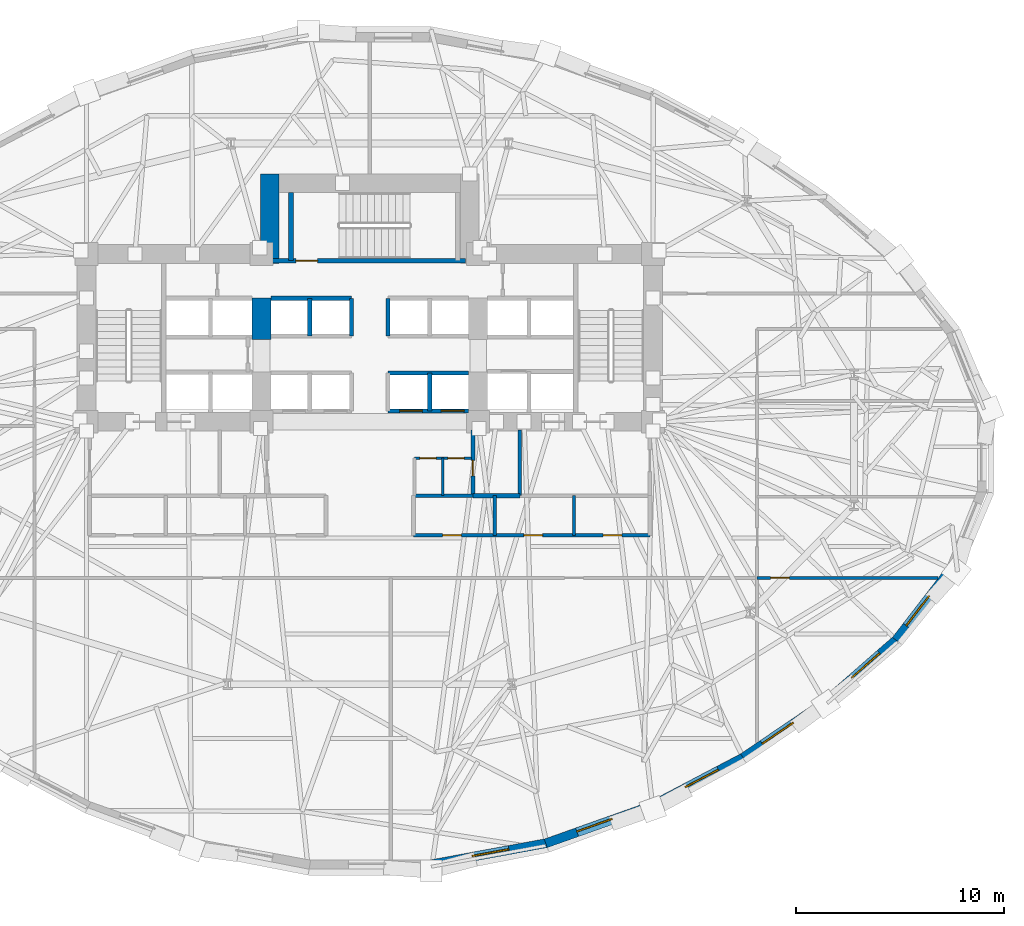
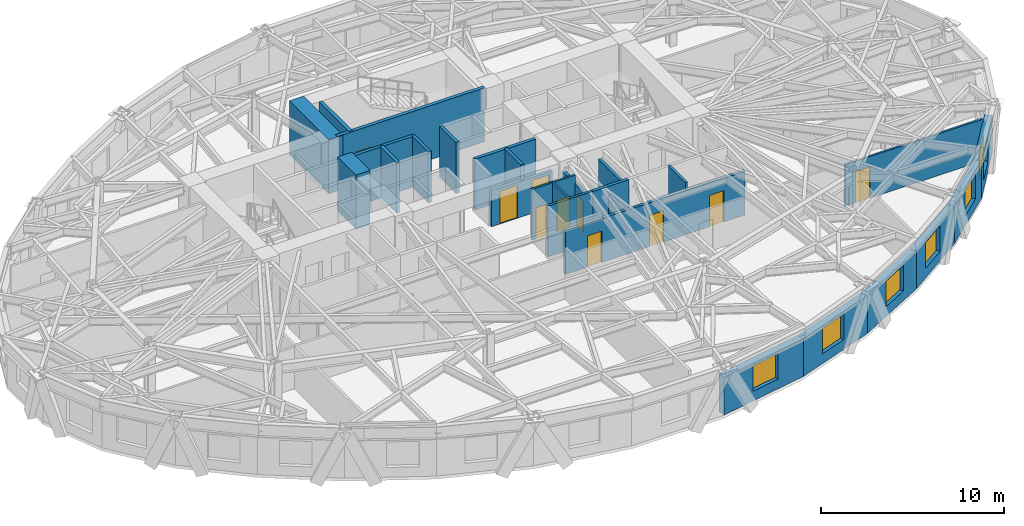
# One storey, part 8 of 14: 27 walls, 10 doors, 6 windows, 16 openings.
"""IFC4 building model written with IfcOpenShell, lengths in metres."""

from ifc_helpers import new_model, si_unit, direction, frame, frame_2d, origin, place, context, subcontext, project, spatial, rectangle, extrude, material, layer, layer_set, type_object, element, fill, save


model = new_model("IFC4")

# Units and contexts
model_context = context("Model", 3, precision=1e-05, world=origin(), true_north=direction((0.0, 1.0)))
body_context = subcontext(model_context, "Body", "Model", "MODEL_VIEW")
ifc_project = project(units=[si_unit("LENGTHUNIT", "METRE"), si_unit("AREAUNIT", "SQUARE_METRE"), si_unit("VOLUMEUNIT", "CUBIC_METRE"), si_unit("PLANEANGLEUNIT", "RADIAN"), si_unit("MASSUNIT", "GRAM", prefix="KILO")], contexts=[model_context])

# Site, building, storey
site_placement = place(None, origin())
site = spatial("IfcSite", under=ifc_project, at=site_placement, CompositionType="ELEMENT")
building_placement = place(site_placement, origin())
building = spatial("IfcBuilding", under=site, at=building_placement, Name="Keldmark Tower", CompositionType="ELEMENT")
storey_placement = place(building_placement, frame((0.0, 0.0, 66.60009765625)))
storey = spatial("IfcBuildingStorey", under=building, at=storey_placement, Name="L17", CompositionType="ELEMENT", Elevation=66.60009765625)

# Wall, openings, doors
ifc_material_1 = material(Name="Heavy Acoustic Plumbing Chase Gypsum Assembly", Category="gypsum")
ifc_layer_1 = layer(ifc_material_1, 0.18994140625)
ifc_layer_set_1 = layer_set([ifc_layer_1], Name="Heavy Acoustic Plumbing Chase Gypsum Assembly")
wall_type_1 = type_object("IfcWallType", Name="Heavy Wet Wall 190 mm", PredefinedType="PLUMBINGWALL", material=ifc_layer_set_1)
wall_1_placement = place(storey_placement, frame((2.10009765625, -4.050048828125, 0.0), z_axis=(0.0, 0.0, 1.0), x_axis=(1.0, 0.0, 0.0)))
wall_1 = element("IfcWall", 1, at=wall_1_placement, inside=storey, type_object=wall_type_1, Name="L17 Heavy Wet Wall 190 mm SPK-E-S", PredefinedType="PLUMBINGWALL", context=body_context, shape_type="SweptSolid", body=[
    extrude(rectangle(XDim=11.349853515625, YDim=0.18994140625, at=frame_2d((5.6748046875, 0.0))), origin(), (0.0, 0.0, 1.0), 2.932861328125),
])
opening_1_placement = place(wall_1_placement, frame((1.39990234375, 0.0, 0.0)))
opening_1 = element("IfcOpeningElement", 2, at=opening_1_placement, cuts=wall_1, Name="Opening D-IN090", PredefinedType="OPENING", context=body_context, shape_type="SweptSolid", body=[
    extrude(rectangle(XDim=0.89990234375, YDim=2.10009765625, at=frame_2d((0.449951171875, 1.050048828125))), frame((0.0, 0.10498046875, 0.0), z_axis=(0.0, -1.0, 0.0), x_axis=(1.0, 0.0, 0.0)), (0.0, 0.0, 1.0), 0.2099609375),
])
opening_2_placement = place(wall_1_placement, frame((5.300048828125, 0.0, 0.0)))
opening_2 = element("IfcOpeningElement", 3, at=opening_2_placement, cuts=wall_1, Name="Opening D-IN090", PredefinedType="OPENING", context=body_context, shape_type="SweptSolid", body=[
    extrude(rectangle(XDim=0.89990234375, YDim=2.10009765625, at=frame_2d((0.449951171875, 1.050048828125))), frame((0.0, 0.10498046875, 0.0), z_axis=(0.0, -1.0, 0.0), x_axis=(1.0, 0.0, 0.0)), (0.0, 0.0, 1.0), 0.2099609375),
])
opening_3_placement = place(wall_1_placement, frame((9.10009765625, 0.0, 0.0)))
opening_3 = element("IfcOpeningElement", 4, at=opening_3_placement, cuts=wall_1, Name="Opening D-IN090", PredefinedType="OPENING", context=body_context, shape_type="SweptSolid", body=[
    extrude(rectangle(XDim=0.89990234375, YDim=2.10009765625, at=frame_2d((0.449951171875, 1.050048828125))), frame((0.0, 0.10498046875, 0.0), z_axis=(0.0, -1.0, 0.0), x_axis=(1.0, 0.0, 0.0)), (0.0, 0.0, 1.0), 0.2099609375),
])
ifc_material_2 = material(Name="Stained American White Oak Veneer", Category="wood")
door_type_1 = type_object("IfcDoorType", Name="Interior Door 900x2100", OperationType="NOTDEFINED", PredefinedType="DOOR", material=ifc_material_2)
door_1_placement = place(opening_1_placement, origin())
door_1 = element("IfcDoor", 5, at=door_1_placement, inside=storey, type_object=door_type_1, Name="L17 Interior Door 900x2100 D-SPKE1-L17", OperationType="SINGLE_SWING_RIGHT", OverallHeight=2.10009765625, OverallWidth=0.89990234375, PredefinedType="DOOR", context=body_context, shape_type="SweptSolid", body=[
    extrude(rectangle(XDim=0.89990234375, YDim=2.10009765625, at=frame_2d((0.449951171875, 1.050048828125))), frame((0.0, 0.02490234375, 0.0), z_axis=(0.0, -1.0, 0.0), x_axis=(1.0, 0.0, 0.0)), (0.0, 0.0, 1.0), 0.050048828125),
])
fill(opening_1, door_1)
door_2_placement = place(opening_2_placement, origin())
door_2 = element("IfcDoor", 6, at=door_2_placement, inside=storey, type_object=door_type_1, Name="L17 Interior Door 900x2100 D-SPKE2-L17", OperationType="SINGLE_SWING_LEFT", OverallHeight=2.10009765625, OverallWidth=0.89990234375, PredefinedType="DOOR", context=body_context, shape_type="SweptSolid", body=[
    extrude(rectangle(XDim=0.89990234375, YDim=2.10009765625, at=frame_2d((0.449951171875, 1.050048828125))), frame((0.0, 0.02490234375, 0.0), z_axis=(0.0, -1.0, 0.0), x_axis=(1.0, 0.0, 0.0)), (0.0, 0.0, 1.0), 0.050048828125),
])
fill(opening_2, door_2)
door_3_placement = place(opening_3_placement, origin())
door_3 = element("IfcDoor", 7, at=door_3_placement, inside=storey, type_object=door_type_1, Name="L17 Interior Door 900x2100 D-SPKE3-L17", OperationType="SINGLE_SWING_RIGHT", OverallHeight=2.10009765625, OverallWidth=0.89990234375, PredefinedType="DOOR", context=body_context, shape_type="SweptSolid", body=[
    extrude(rectangle(XDim=0.89990234375, YDim=2.10009765625, at=frame_2d((0.449951171875, 1.050048828125))), frame((0.0, 0.02490234375, 0.0), z_axis=(0.0, -1.0, 0.0), x_axis=(1.0, 0.0, 0.0)), (0.0, 0.0, 1.0), 0.050048828125),
])
fill(opening_3, door_3)

ifc_material_3 = material(Name="Acoustic Gypsum Board Interior Partition", Category="gypsum")
ifc_layer_2 = layer(ifc_material_3, 0.1298828125)
ifc_layer_set_2 = layer_set([ifc_layer_2], Name="Acoustic Gypsum Board Interior Partition")
wall_type_2 = type_object("IfcWallType", Name="Interior Partition 130 mm", PredefinedType="PARTITIONING", material=ifc_layer_set_2)
wall_2_placement = place(storey_placement, frame((2.14990234375, -0.35009765625, 0.0), z_axis=(0.0, 0.0, 1.0), x_axis=(1.0, 0.0, 0.0)))
wall_2 = element("IfcWall", 8, at=wall_2_placement, inside=storey, type_object=wall_type_2, Name="L17 Interior Partition 130 mm CSC-E-N", PredefinedType="PARTITIONING", context=body_context, shape_type="SweptSolid", body=[
    extrude(rectangle(XDim=2.72998046875, YDim=0.1298828125, at=frame_2d((1.364990234375, 0.0))), origin(), (0.0, 0.0, 1.0), 3.39990234375),
])
opening_4_placement = place(wall_2_placement, frame((0.25, 0.0, 0.0)))
opening_4 = element("IfcOpeningElement", 9, at=opening_4_placement, cuts=wall_2, Name="Opening D-CL078", PredefinedType="OPENING", context=body_context, shape_type="SweptSolid", body=[
    extrude(rectangle(XDim=0.780029296875, YDim=2.10009765625, at=frame_2d((0.39013671875, 1.050048828125))), frame((0.0, 0.074951171875, 0.0), z_axis=(0.0, -1.0, 0.0), x_axis=(1.0, 0.0, 0.0)), (0.0, 0.0, 1.0), 0.14990234375),
])
opening_5_placement = place(wall_2_placement, frame((1.60009765625, 0.0, 0.0)))
opening_5 = element("IfcOpeningElement", 10, at=opening_5_placement, cuts=wall_2, Name="Opening D-CL078", PredefinedType="OPENING", context=body_context, shape_type="SweptSolid", body=[
    extrude(rectangle(XDim=0.780029296875, YDim=2.10009765625, at=frame_2d((0.39013671875, 1.050048828125))), frame((0.0, 0.074951171875, 0.0), z_axis=(0.0, -1.0, 0.0), x_axis=(1.0, 0.0, 0.0)), (0.0, 0.0, 1.0), 0.14990234375),
])
ifc_material_4 = material(Name="Flush Utility Closet Timber Door", Category="wood")
door_type_2 = type_object("IfcDoorType", Name="Closet Door 780x2100", OperationType="NOTDEFINED", PredefinedType="DOOR", material=ifc_material_4)
door_4_placement = place(opening_4_placement, origin())
door_4 = element("IfcDoor", 11, at=door_4_placement, inside=storey, type_object=door_type_2, Name="L17 Closet Door 780x2100 D-CSCE1-L17", OperationType="SINGLE_SWING_LEFT", OverallHeight=2.10009765625, OverallWidth=0.780029296875, PredefinedType="DOOR", context=body_context, shape_type="SweptSolid", body=[
    extrude(rectangle(XDim=0.780029296875, YDim=2.10009765625, at=frame_2d((0.39013671875, 1.050048828125))), frame((0.0, 0.02490234375, 0.0), z_axis=(0.0, -1.0, 0.0), x_axis=(1.0, 0.0, 0.0)), (0.0, 0.0, 1.0), 0.050048828125),
])
fill(opening_4, door_4)
door_5_placement = place(opening_5_placement, origin())
door_5 = element("IfcDoor", 12, at=door_5_placement, inside=storey, type_object=door_type_2, Name="L17 Closet Door 780x2100 D-CSCE2-L17", OperationType="SINGLE_SWING_RIGHT", OverallHeight=2.10009765625, OverallWidth=0.780029296875, PredefinedType="DOOR", context=body_context, shape_type="SweptSolid", body=[
    extrude(rectangle(XDim=0.780029296875, YDim=2.10009765625, at=frame_2d((0.39013671875, 1.050048828125))), frame((0.0, 0.02490234375, 0.0), z_axis=(0.0, -1.0, 0.0), x_axis=(1.0, 0.0, 0.0)), (0.0, 0.0, 1.0), 0.050048828125),
])
fill(opening_5, door_5)

# Wall
wall_3_placement = place(storey_placement, frame((3.5, -2.14990234375, 0.0), z_axis=(0.0, 0.0, 1.0), x_axis=(0.0, 1.0, 0.0)))
element("IfcWall", 13, at=wall_3_placement, inside=storey, type_object=wall_type_2, Name="L17 Interior Partition 130 mm CSC-E-M", PredefinedType="PARTITIONING", context=body_context, shape_type="SweptSolid", body=[
    extrude(rectangle(XDim=1.7998046875, YDim=0.1298828125, at=frame_2d((0.89990234375, 0.0))), origin(), (0.0, 0.0, 1.0), 3.39990234375),
])

# Wall, opening, door
wall_4_placement = place(storey_placement, frame((18.60009765625, -6.10009765625, 0.0), z_axis=(0.0, 0.0, 1.0), x_axis=(1.0, 0.0, 0.0)))
wall_4 = element("IfcWall", 14, at=wall_4_placement, inside=storey, type_object=wall_type_2, Name="L17 Interior Partition 130 mm E-CAP-S", PredefinedType="PARTITIONING", context=body_context, shape_type="SweptSolid", body=[
    extrude(rectangle(XDim=8.685791015625, YDim=0.1298828125, at=frame_2d((4.3427734375, 0.0))), origin(), (0.0, 0.0, 1.0), 2.77880859375),
])
opening_6_placement = place(wall_4_placement, frame((0.64990234375, 0.0, 0.0)))
opening_6 = element("IfcOpeningElement", 15, at=opening_6_placement, cuts=wall_4, Name="Opening D-IN090", PredefinedType="OPENING", context=body_context, shape_type="SweptSolid", body=[
    extrude(rectangle(XDim=0.89990234375, YDim=2.10009765625, at=frame_2d((0.449951171875, 1.050048828125))), frame((0.0, 0.074951171875, 0.0), z_axis=(0.0, -1.0, 0.0), x_axis=(1.0, 0.0, 0.0)), (0.0, 0.0, 1.0), 0.14990234375),
])
door_6_placement = place(opening_6_placement, origin())
door_6 = element("IfcDoor", 16, at=door_6_placement, inside=storey, type_object=door_type_1, Name="L17 Interior Door 900x2100 D-ERSE-L17", OperationType="SINGLE_SWING_RIGHT", OverallHeight=2.10009765625, OverallWidth=0.89990234375, PredefinedType="DOOR", context=body_context, shape_type="SweptSolid", body=[
    extrude(rectangle(XDim=0.89990234375, YDim=2.10009765625, at=frame_2d((0.449951171875, 1.050048828125))), frame((0.0, 0.02490234375, 0.0), z_axis=(0.0, -1.0, 0.0), x_axis=(1.0, 0.0, 0.0)), (0.0, 0.0, 1.0), 0.050048828125),
])
fill(opening_6, door_6)

# Walls
ifc_material_5 = material(Name="Concrete C70/85", Category="concrete")
ifc_layer_3 = layer(ifc_material_5, 0.89990234375)
ifc_layer_set_3 = layer_set([ifc_layer_3], Name="Concrete C70/85")
wall_type_3 = type_object("IfcWallType", Name="Lower Core Shear Wall 900 mm", PredefinedType="SHEAR", material=ifc_layer_set_3)
wall_5_placement = place(storey_placement, frame((-5.199951171875, 5.35009765625, 0.0), z_axis=(0.0, 0.0, 1.0), x_axis=(0.0, 1.0, 0.0)))
element("IfcWall", 17, at=wall_5_placement, inside=storey, type_object=wall_type_3, Name="L17 West Core Inner Shear Pier North", PredefinedType="SHEAR", context=body_context, shape_type="SweptSolid", body=[
    extrude(rectangle(XDim=2.0, YDim=0.89990234375, at=frame_2d((1.0, 0.0))), origin(), (0.0, 0.0, 1.0), 3.599853515625),
])
wall_6_placement = place(storey_placement, frame((-4.800048828125, 9.0, 0.0), z_axis=(0.0, 0.0, 1.0), x_axis=(0.0, 1.0, 0.0)))
element("IfcWall", 18, at=wall_6_placement, inside=storey, type_object=wall_type_3, Name="L17 North Core West Shear Wall", PredefinedType="SHEAR", context=body_context, shape_type="SweptSolid", body=[
    extrude(rectangle(XDim=4.300048828125, YDim=0.89990234375, at=frame_2d((2.14990234375, 0.0))), origin(), (0.0, 0.0, 1.0), 3.599853515625),
])
ifc_material_6 = material(Name="Type X Fire-Rated Gypsum Partition Assembly", Category="gypsum")
ifc_layer_4 = layer(ifc_material_6, 0.1650390625)
ifc_layer_set_4 = layer_set([ifc_layer_4], Name="Type X Fire-Rated Gypsum Partition Assembly")
wall_type_4 = type_object("IfcWallType", Name="Rated Partition 165 mm", PredefinedType="PARTITIONING", material=ifc_layer_set_4)
wall_7_placement = place(storey_placement, frame((7.199951171875, -2.14990234375, 0.0), z_axis=(0.0, 0.0, 1.0), x_axis=(0.0, 1.0, 0.0)))
element("IfcWall", 19, at=wall_7_placement, inside=storey, type_object=wall_type_4, Name="L17 Rated Partition 165 mm FSAE-E-W", PredefinedType="PARTITIONING", context=body_context, shape_type="SweptSolid", body=[
    extrude(rectangle(XDim=3.14990234375, YDim=0.1650390625, at=frame_2d((1.574951171875, 0.0))), origin(), (0.0, 0.0, 1.0), 2.852783203125),
])
ifc_material_7 = material(Name="Fire-Resistant Type X Gypsum Shaftliner Coreboard", Category="gypsum")
ifc_layer_5 = layer(ifc_material_7, 0.199951171875)
ifc_layer_set_5 = layer_set([ifc_layer_5], Name="Fire-Resistant Type X Gypsum Shaftliner Coreboard")
wall_type_5 = type_object("IfcWallType", Name="Shaft Wall 200 mm", PredefinedType="SOLIDWALL", material=ifc_layer_set_5)
wall_8_placement = place(storey_placement, frame((4.949951171875, -2.14990234375, 0.0), z_axis=(0.0, 0.0, 1.0), x_axis=(1.0, 0.0, 0.0)))
element("IfcWall", 20, at=wall_8_placement, inside=storey, type_object=wall_type_5, Name="L17 Shaft Wall 200 mm RIS-SE-S", PredefinedType="SOLIDWALL", context=body_context, shape_type="SweptSolid", body=[
    extrude(rectangle(XDim=2.25, YDim=0.199951171875, at=frame_2d((1.125, 0.0))), origin(), (0.0, 0.0, 1.0), 3.39990234375),
])

# Wall, opening, door
wall_9_placement = place(storey_placement, frame((4.949951171875, -2.14990234375, 0.0), z_axis=(0.0, 0.0, 1.0), x_axis=(0.0, 1.0, 0.0)))
wall_9 = element("IfcWall", 21, at=wall_9_placement, inside=storey, type_object=wall_type_5, Name="L17 Shaft Wall 200 mm RIS-SE-W", PredefinedType="SOLIDWALL", context=body_context, shape_type="SweptSolid", body=[
    extrude(rectangle(XDim=3.14990234375, YDim=0.199951171875, at=frame_2d((1.574951171875, 0.0))), origin(), (0.0, 0.0, 1.0), 2.852783203125),
])
opening_7_placement = place(wall_9_placement, frame((0.949951171875, 0.0, 0.0)))
opening_7 = element("IfcOpeningElement", 22, at=opening_7_placement, cuts=wall_9, Name="Opening D-RS075", PredefinedType="OPENING", context=body_context, shape_type="SweptSolid", body=[
    extrude(rectangle(XDim=0.75, YDim=2.10009765625, at=frame_2d((0.375, 1.050048828125))), frame((0.0, 0.10986328125, 0.0), z_axis=(0.0, -1.0, 0.0), x_axis=(1.0, 0.0, 0.0)), (0.0, 0.0, 1.0), 0.219970703125),
])
ifc_material_8 = material(Name="Galvanized Fire-Rated Access Leaf", Category="metal")
door_type_3 = type_object("IfcDoorType", Name="Riser Access Door 750x2100", OperationType="NOTDEFINED", PredefinedType="DOOR", material=ifc_material_8)
door_7_placement = place(opening_7_placement, origin())
door_7 = element("IfcDoor", 23, at=door_7_placement, inside=storey, type_object=door_type_3, Name="L17 Riser Access Door 750x2100 D-RISSE-L17", OperationType="SINGLE_SWING_LEFT", OverallHeight=2.10009765625, OverallWidth=0.75, PredefinedType="DOOR", context=body_context, shape_type="SweptSolid", body=[
    extrude(rectangle(XDim=0.75, YDim=2.10009765625, at=frame_2d((0.375, 1.050048828125))), frame((0.0, 0.02490234375, 0.0), z_axis=(0.0, -1.0, 0.0), x_axis=(1.0, 0.0, 0.0)), (0.0, 0.0, 1.0), 0.050048828125),
])
fill(opening_7, door_7)

# Wall, openings, doors
wall_10_placement = place(storey_placement, frame((0.8798828125, 1.919921875, 0.0), z_axis=(0.0, 0.0, 1.0), x_axis=(1.0, 0.0, 0.0)))
wall_10 = element("IfcWall", 24, at=wall_10_placement, inside=storey, type_object=wall_type_5, Name="L17 Shaft Wall 200 mm LOW-S-E", PredefinedType="SOLIDWALL", context=body_context, shape_type="SweptSolid", body=[
    extrude(rectangle(XDim=3.860107421875, YDim=0.199951171875, at=frame_2d((1.93017578125, 0.0))), origin(), (0.0, 0.0, 1.0), 2.389892578125),
])
opening_8_placement = place(wall_10_placement, frame((0.550048828125, 0.0, 0.0)))
opening_8 = element("IfcOpeningElement", 25, at=opening_8_placement, cuts=wall_10, Name="Opening LD-110", PredefinedType="OPENING", context=body_context, shape_type="SweptSolid", body=[
    extrude(rectangle(XDim=1.10009765625, YDim=2.199951171875, at=frame_2d((0.550048828125, 1.10009765625))), frame((0.0, 0.10986328125, 0.0), z_axis=(0.0, -1.0, 0.0), x_axis=(1.0, 0.0, 0.0)), (0.0, 0.0, 1.0), 0.219970703125),
])
opening_9_placement = place(wall_10_placement, frame((2.550048828125, 0.0, 0.0)))
opening_9 = element("IfcOpeningElement", 26, at=opening_9_placement, cuts=wall_10, Name="Opening LD-110", PredefinedType="OPENING", context=body_context, shape_type="SweptSolid", body=[
    extrude(rectangle(XDim=1.10009765625, YDim=2.199951171875, at=frame_2d((0.550048828125, 1.10009765625))), frame((0.0, 0.10986328125, 0.0), z_axis=(0.0, -1.0, 0.0), x_axis=(1.0, 0.0, 0.0)), (0.0, 0.0, 1.0), 0.219970703125),
])
ifc_material_9 = material(Name="Brushed Bronze Hoistway Sliding Leaf", Category="metal")
door_type_4 = type_object("IfcDoorType", Name="Lift Landing Sliding Door 1100x2200", OperationType="SLIDING_TO_LEFT", PredefinedType="DOOR", material=ifc_material_9)
door_8_placement = place(opening_8_placement, origin())
door_8 = element("IfcDoor", 27, at=door_8_placement, inside=storey, type_object=door_type_4, Name="L17 Lift Landing Sliding Door 1100x2200 LD-EL-L3-L17", OperationType="SLIDING_TO_LEFT", OverallHeight=2.199951171875, OverallWidth=1.10009765625, PredefinedType="DOOR", context=body_context, shape_type="SweptSolid", body=[
    extrude(rectangle(XDim=1.10009765625, YDim=2.199951171875, at=frame_2d((0.550048828125, 1.10009765625))), frame((0.0, 0.02490234375, 0.0), z_axis=(0.0, -1.0, 0.0), x_axis=(1.0, 0.0, 0.0)), (0.0, 0.0, 1.0), 0.050048828125),
])
fill(opening_8, door_8)
door_9_placement = place(opening_9_placement, origin())
door_9 = element("IfcDoor", 28, at=door_9_placement, inside=storey, type_object=door_type_4, Name="L17 Lift Landing Sliding Door 1100x2200 LD-EL-L4-L17", OperationType="SLIDING_TO_LEFT", OverallHeight=2.199951171875, OverallWidth=1.10009765625, PredefinedType="DOOR", context=body_context, shape_type="SweptSolid", body=[
    extrude(rectangle(XDim=1.10009765625, YDim=2.199951171875, at=frame_2d((0.550048828125, 1.10009765625))), frame((0.0, 0.02490234375, 0.0), z_axis=(0.0, -1.0, 0.0), x_axis=(1.0, 0.0, 0.0)), (0.0, 0.0, 1.0), 0.050048828125),
])
fill(opening_9, door_9)

# Walls
wall_11_placement = place(storey_placement, frame((0.8798828125, 3.739990234375, 0.0), z_axis=(0.0, 0.0, 1.0), x_axis=(1.0, 0.0, 0.0)))
element("IfcWall", 29, at=wall_11_placement, inside=storey, type_object=wall_type_5, Name="L17 Shaft Wall 200 mm LOW-N-E", PredefinedType="SOLIDWALL", context=body_context, shape_type="SweptSolid", body=[
    extrude(rectangle(XDim=3.860107421875, YDim=0.199951171875, at=frame_2d((1.93017578125, 0.0))), origin(), (0.0, 0.0, 1.0), 3.39990234375),
])
wall_12_placement = place(storey_placement, frame((2.8798828125, 1.919921875, 0.0), z_axis=(0.0, 0.0, 1.0), x_axis=(0.0, 1.0, 0.0)))
element("IfcWall", 30, at=wall_12_placement, inside=storey, type_object=wall_type_5, Name="L17 Shaft Wall 200 mm LOW-M-E", PredefinedType="SOLIDWALL", context=body_context, shape_type="SweptSolid", body=[
    extrude(rectangle(XDim=1.820068359375, YDim=0.199951171875, at=frame_2d((0.91015625, 0.0))), origin(), (0.0, 0.0, 1.0), 3.39990234375),
])
wall_13_placement = place(storey_placement, frame((-4.739990234375, 7.330078125, 0.0), z_axis=(0.0, 0.0, 1.0), x_axis=(1.0, 0.0, 0.0)))
element("IfcWall", 31, at=wall_13_placement, inside=storey, type_object=wall_type_5, Name="L17 Shaft Wall 200 mm MID-N-W", PredefinedType="SOLIDWALL", context=body_context, shape_type="SweptSolid", body=[
    extrude(rectangle(XDim=3.860107421875, YDim=0.199951171875, at=frame_2d((1.93017578125, 0.0))), origin(), (0.0, 0.0, 1.0), 3.39990234375),
])
for number, where, z_axis, x_axis, name in (
    (32, (-2.8798828125, 5.52001953125, 0.0), (0.0, 0.0, 1.0), (0.0, 1.0, 0.0), "L17 Shaft Wall 200 mm MID-M-W"),
    (33, (-0.8798828125, 5.52001953125, 0.0), (0.0, 0.0, 1.0), (0.0, 1.0, 0.0), "L17 Shaft Wall 200 mm MID-C-W"),
    (34, (0.8798828125, 5.52001953125, 0.0), (0.0, 0.0, 1.0), (0.0, 1.0, 0.0), "L17 Shaft Wall 200 mm MID-C-E"),
):
    element("IfcWall", number, at=place(storey_placement, frame(where, z_axis=z_axis, x_axis=x_axis)), inside=storey, type_object=wall_type_5, Name=name, PredefinedType="SOLIDWALL", context=body_context, shape_type="SweptSolid", body=[
        extrude(rectangle(XDim=1.81005859375, YDim=0.199951171875, at=frame_2d((0.905029296875, 0.0))), origin(), (0.0, 0.0, 1.0), 3.39990234375),
    ])

# Wall, opening, door
ifc_material_10 = material(Name="Concrete C50/60", Category="concrete")
ifc_layer_6 = layer(ifc_material_10, 0.219970703125)
ifc_layer_set_6 = layer_set([ifc_layer_6], Name="Concrete C50/60")
wall_type_6 = type_object("IfcWallType", Name="Stair Core Shear Wall 220 mm", PredefinedType="SHEAR", material=ifc_layer_set_6)
wall_14_placement = place(storey_placement, frame((-4.699951171875, 9.139892578125, 0.0), z_axis=(0.0, 0.0, 1.0), x_axis=(1.0, 0.0, 0.0)))
wall_14 = element("IfcWall", 35, at=wall_14_placement, inside=storey, type_object=wall_type_6, Name="L17 Central Stair Core South Shear Wall", PredefinedType="SHEAR", context=body_context, shape_type="SweptSolid", body=[
    extrude(rectangle(XDim=9.300048828125, YDim=0.219970703125, at=frame_2d((4.64990234375, 0.0))), origin(), (0.0, 0.0, 1.0), 3.599853515625),
])
opening_10_placement = place(wall_14_placement, frame((1.14990234375, 0.0, 0.0)))
opening_10 = element("IfcOpeningElement", 36, at=opening_10_placement, cuts=wall_14, Name="Opening D-ST105", PredefinedType="OPENING", context=body_context, shape_type="SweptSolid", body=[
    extrude(rectangle(XDim=1.050048828125, YDim=2.14990234375, at=frame_2d((0.52490234375, 1.074951171875))), frame((0.0, 0.119873046875, 0.0), z_axis=(0.0, -1.0, 0.0), x_axis=(1.0, 0.0, 0.0)), (0.0, 0.0, 1.0), 0.239990234375),
])
ifc_material_11 = material(Name="Hollow Metal Fire-Rated Door Assembly", Category="metal")
door_type_5 = type_object("IfcDoorType", Name="Stair Fire Door 1050x2150", OperationType="NOTDEFINED", PredefinedType="DOOR", material=ifc_material_11)
door_10_placement = place(opening_10_placement, origin())
door_10 = element("IfcDoor", 37, at=door_10_placement, inside=storey, type_object=door_type_5, Name="L17 Stair Fire Door 1050x2150 D-ST3-L17", OperationType="SINGLE_SWING_RIGHT", OverallHeight=2.14990234375, OverallWidth=1.050048828125, PredefinedType="DOOR", context=body_context, shape_type="SweptSolid", body=[
    extrude(rectangle(XDim=1.050048828125, YDim=2.14990234375, at=frame_2d((0.52490234375, 1.074951171875))), frame((0.0, 0.02490234375, 0.0), z_axis=(0.0, -1.0, 0.0), x_axis=(1.0, 0.0, 0.0)), (0.0, 0.0, 1.0), 0.050048828125),
])
fill(opening_10, door_10)

# Wall
wall_15_placement = place(storey_placement, frame((-3.784912109375, 9.139892578125, 0.0), z_axis=(0.0, 0.0, 1.0), x_axis=(0.0, 1.0, 0.0)))
element("IfcWall", 38, at=wall_15_placement, inside=storey, type_object=wall_type_6, Name="L17 Central Stair Core West Shear Wall", PredefinedType="SHEAR", context=body_context, shape_type="SweptSolid", body=[
    extrude(rectangle(XDim=3.260009765625, YDim=0.219970703125, at=frame_2d((1.6298828125, 0.0))), origin(), (0.0, 0.0, 1.0), 3.599853515625),
])

# Wall, opening, window
ifc_material_12 = material(Name="Ironspot Manganese Brick and Kasota Buff Limestone Spandrel Assembly", Category="masonry")
ifc_layer_7 = layer(ifc_material_12, 0.43994140625)
ifc_layer_set_7 = layer_set([ifc_layer_7], Name="Ironspot Manganese Brick and Kasota Buff Limestone Spandrel Assembly")
wall_type_7 = type_object("IfcWallType", Name="Tower Brick Pier and Spandrel Wall 440 mm", PredefinedType="STANDARD", material=ifc_layer_set_7)
wall_16_placement = place(storey_placement, frame((8.48388671875, -18.8359375, 0.0), z_axis=(0.0, 0.0, 1.0), x_axis=(-0.983468646836, -0.181078493177, 0.0)))
wall_16 = element("IfcWall", 39, at=wall_16_placement, inside=storey, type_object=wall_type_7, Name="L17 Exterior Brick and Spandrel Wall 25", PredefinedType="STANDARD", context=body_context, shape_type="SweptSolid", body=[
    extrude(rectangle(XDim=5.700439453125, YDim=0.43994140625, at=frame_2d((2.85009765625, 0.0))), origin(), (0.0, 0.0, 1.0), 2.52880859375),
])
opening_11_placement = place(wall_16_placement, frame((1.826904296875, 0.0, 0.64990234375)))
opening_11 = element("IfcOpeningElement", 40, at=opening_11_placement, cuts=wall_16, Name="Opening W-02", PredefinedType="OPENING", context=body_context, shape_type="SweptSolid", body=[
    extrude(rectangle(XDim=1.800048828125, YDim=1.699951171875, at=frame_2d((0.89990234375, 0.85009765625))), frame((0.0, 0.22998046875, 0.0), z_axis=(0.0, -1.0, 0.0), x_axis=(1.0, 0.0, 0.0)), (0.0, 0.0, 1.0), 0.4599609375),
])
ifc_material_13 = material(Name="Thermally Broken Anodized Aluminum and Triple Low-E Argon Glazing", Category="aluminium")
window_type = type_object("IfcWindowType", Name="Office Deep-Set Triple Window 1800x1700", PartitioningType="TRIPLE_PANEL_VERTICAL", PredefinedType="WINDOW", material=ifc_material_13)
window_1_placement = place(opening_11_placement, origin())
window_1 = element("IfcWindow", 41, at=window_1_placement, inside=storey, type_object=window_type, Name="L17 Deep-Set Window 25", OverallHeight=1.699951171875, OverallWidth=1.800048828125, PartitioningType="SINGLE_PANEL", PredefinedType="WINDOW", context=body_context, shape_type="SweptSolid", body=[
    extrude(rectangle(XDim=1.800048828125, YDim=1.699951171875, at=frame_2d((0.89990234375, 0.85009765625))), frame((0.0, -0.010009765625, 0.0), z_axis=(0.0, -1.0, 0.0), x_axis=(1.0, 0.0, 0.0)), (0.0, 0.0, 1.0), 0.06005859375),
])
fill(opening_11, window_1)

wall_17_placement = place(storey_placement, frame((13.526611328125, -17.045166015625, 0.0), z_axis=(0.0, 0.0, 1.0), x_axis=(-0.942515730584, -0.334161783575, 0.0)))
wall_17 = element("IfcWall", 42, at=wall_17_placement, inside=storey, type_object=wall_type_7, Name="L17 Exterior Brick and Spandrel Wall 26", PredefinedType="STANDARD", context=body_context, shape_type="SweptSolid", body=[
    extrude(rectangle(XDim=5.385986328125, YDim=0.43994140625, at=frame_2d((2.69287109375, 0.0))), origin(), (0.0, 0.0, 1.0), 2.52880859375),
])
opening_12_placement = place(wall_17_placement, frame((1.9921875, 0.0, 0.64990234375)))
opening_12 = element("IfcOpeningElement", 43, at=opening_12_placement, cuts=wall_17, Name="Opening W-02", PredefinedType="OPENING", context=body_context, shape_type="SweptSolid", body=[
    extrude(rectangle(XDim=1.800048828125, YDim=1.699951171875, at=frame_2d((0.89990234375, 0.85009765625))), frame((0.0, 0.22998046875, 0.0), z_axis=(0.0, -1.0, 0.0), x_axis=(1.0, 0.0, 0.0)), (0.0, 0.0, 1.0), 0.4599609375),
])
window_2_placement = place(opening_12_placement, origin())
window_2 = element("IfcWindow", 44, at=window_2_placement, inside=storey, type_object=window_type, Name="L17 Deep-Set Window 26", OverallHeight=1.699951171875, OverallWidth=1.800048828125, PartitioningType="SINGLE_PANEL", PredefinedType="WINDOW", context=body_context, shape_type="SweptSolid", body=[
    extrude(rectangle(XDim=1.800048828125, YDim=1.699951171875, at=frame_2d((0.89990234375, 0.85009765625))), frame((0.0, -0.010009765625, 0.0), z_axis=(0.0, -1.0, 0.0), x_axis=(1.0, 0.0, 0.0)), (0.0, 0.0, 1.0), 0.06005859375),
])
fill(opening_12, window_2)

wall_18_placement = place(storey_placement, frame((17.94580078125, -14.717041015625, 0.0), z_axis=(0.0, 0.0, 1.0), x_axis=(-0.884937186938, -0.465710398395, 0.0)))
wall_18 = element("IfcWall", 45, at=wall_18_placement, inside=storey, type_object=wall_type_7, Name="L17 Exterior Brick and Spandrel Wall 27", PredefinedType="STANDARD", context=body_context, shape_type="SweptSolid", body=[
    extrude(rectangle(XDim=5.0263671875, YDim=0.43994140625, at=frame_2d((2.51318359375, 0.0))), origin(), (0.0, 0.0, 1.0), 2.52880859375),
])
opening_13_placement = place(wall_18_placement, frame((1.340576171875, 0.0, 0.64990234375)))
opening_13 = element("IfcOpeningElement", 46, at=opening_13_placement, cuts=wall_18, Name="Opening W-02", PredefinedType="OPENING", context=body_context, shape_type="SweptSolid", body=[
    extrude(rectangle(XDim=1.800048828125, YDim=1.699951171875, at=frame_2d((0.89990234375, 0.85009765625))), frame((0.0, 0.22998046875, 0.0), z_axis=(0.0, -1.0, 0.0), x_axis=(1.0, 0.0, 0.0)), (0.0, 0.0, 1.0), 0.4599609375),
])
window_3_placement = place(opening_13_placement, origin())
window_3 = element("IfcWindow", 47, at=window_3_placement, inside=storey, type_object=window_type, Name="L17 Deep-Set Window 27", OverallHeight=1.699951171875, OverallWidth=1.800048828125, PartitioningType="SINGLE_PANEL", PredefinedType="WINDOW", context=body_context, shape_type="SweptSolid", body=[
    extrude(rectangle(XDim=1.800048828125, YDim=1.699951171875, at=frame_2d((0.89990234375, 0.85009765625))), frame((0.0, -0.010009765625, 0.0), z_axis=(0.0, -1.0, 0.0), x_axis=(1.0, 0.0, 0.0)), (0.0, 0.0, 1.0), 0.06005859375),
])
fill(opening_13, window_3)

wall_19_placement = place(storey_placement, frame((21.868408203125, -12.0556640625, 0.0), z_axis=(0.0, 0.0, 1.0), x_axis=(-0.827689135004, -0.561186863528, 0.0)))
wall_19 = element("IfcWall", 48, at=wall_19_placement, inside=storey, type_object=wall_type_7, Name="L17 Exterior Brick and Spandrel Wall 28", PredefinedType="STANDARD", context=body_context, shape_type="SweptSolid", body=[
    extrude(rectangle(XDim=4.7646484375, YDim=0.43994140625, at=frame_2d((2.38232421875, 0.0))), origin(), (0.0, 0.0, 1.0), 2.52880859375),
])
opening_14_placement = place(wall_19_placement, frame((1.82763671875, 0.0, 0.64990234375)))
opening_14 = element("IfcOpeningElement", 49, at=opening_14_placement, cuts=wall_19, Name="Opening W-02", PredefinedType="OPENING", context=body_context, shape_type="SweptSolid", body=[
    extrude(rectangle(XDim=1.800048828125, YDim=1.699951171875, at=frame_2d((0.89990234375, 0.85009765625))), frame((0.0, 0.22998046875, 0.0), z_axis=(0.0, -1.0, 0.0), x_axis=(1.0, 0.0, 0.0)), (0.0, 0.0, 1.0), 0.4599609375),
])
window_4_placement = place(opening_14_placement, origin())
window_4 = element("IfcWindow", 50, at=window_4_placement, inside=storey, type_object=window_type, Name="L17 Deep-Set Window 28", OverallHeight=1.699951171875, OverallWidth=1.800048828125, PartitioningType="SINGLE_PANEL", PredefinedType="WINDOW", context=body_context, shape_type="SweptSolid", body=[
    extrude(rectangle(XDim=1.800048828125, YDim=1.699951171875, at=frame_2d((0.89990234375, 0.85009765625))), frame((0.0, -0.010009765625, 0.0), z_axis=(0.0, -1.0, 0.0), x_axis=(1.0, 0.0, 0.0)), (0.0, 0.0, 1.0), 0.06005859375),
])
fill(opening_14, window_4)

wall_20_placement = place(storey_placement, frame((25.299560546875, -9.055908203125, 0.0), z_axis=(0.0, 0.0, 1.0), x_axis=(-0.753064762529, -0.657946398605, 0.0)))
wall_20 = element("IfcWall", 51, at=wall_20_placement, inside=storey, type_object=wall_type_7, Name="L17 Exterior Brick and Spandrel Wall 29", PredefinedType="STANDARD", context=body_context, shape_type="SweptSolid", body=[
    extrude(rectangle(XDim=4.584228515625, YDim=0.43994140625, at=frame_2d((2.2919921875, 0.0))), origin(), (0.0, 0.0, 1.0), 2.52880859375),
])
opening_15_placement = place(wall_20_placement, frame((1.04443359375, 0.0, 0.64990234375)))
opening_15 = element("IfcOpeningElement", 52, at=opening_15_placement, cuts=wall_20, Name="Opening W-02", PredefinedType="OPENING", context=body_context, shape_type="SweptSolid", body=[
    extrude(rectangle(XDim=1.800048828125, YDim=1.699951171875, at=frame_2d((0.89990234375, 0.85009765625))), frame((0.0, 0.22998046875, 0.0), z_axis=(0.0, -1.0, 0.0), x_axis=(1.0, 0.0, 0.0)), (0.0, 0.0, 1.0), 0.4599609375),
])
window_5_placement = place(opening_15_placement, origin())
window_5 = element("IfcWindow", 53, at=window_5_placement, inside=storey, type_object=window_type, Name="L17 Deep-Set Window 29", OverallHeight=1.699951171875, OverallWidth=1.800048828125, PartitioningType="SINGLE_PANEL", PredefinedType="WINDOW", context=body_context, shape_type="SweptSolid", body=[
    extrude(rectangle(XDim=1.800048828125, YDim=1.699951171875, at=frame_2d((0.89990234375, 0.85009765625))), frame((0.0, -0.010009765625, 0.0), z_axis=(0.0, -1.0, 0.0), x_axis=(1.0, 0.0, 0.0)), (0.0, 0.0, 1.0), 0.06005859375),
])
fill(opening_15, window_5)

wall_21_placement = place(storey_placement, frame((27.924560546875, -5.645263671875, 0.0), z_axis=(0.0, 0.0, 1.0), x_axis=(-0.610684735824, -0.791873824187, 0.0)))
wall_21 = element("IfcWall", 54, at=wall_21_placement, inside=storey, type_object=wall_type_7, Name="L17 Exterior Brick and Spandrel Wall 30", PredefinedType="STANDARD", context=body_context, shape_type="SweptSolid", body=[
    extrude(rectangle(XDim=4.346923828125, YDim=0.43994140625, at=frame_2d((2.17333984375, 0.0))), origin(), (0.0, 0.0, 1.0), 2.52880859375),
])
opening_16_placement = place(wall_21_placement, frame((1.69775390625, 0.0, 0.64990234375)))
opening_16 = element("IfcOpeningElement", 55, at=opening_16_placement, cuts=wall_21, Name="Opening W-02", PredefinedType="OPENING", context=body_context, shape_type="SweptSolid", body=[
    extrude(rectangle(XDim=1.800048828125, YDim=1.699951171875, at=frame_2d((0.89990234375, 0.85009765625))), frame((0.0, 0.22998046875, 0.0), z_axis=(0.0, -1.0, 0.0), x_axis=(1.0, 0.0, 0.0)), (0.0, 0.0, 1.0), 0.4599609375),
])
window_6_placement = place(opening_16_placement, origin())
window_6 = element("IfcWindow", 56, at=window_6_placement, inside=storey, type_object=window_type, Name="L17 Deep-Set Window 30", OverallHeight=1.699951171875, OverallWidth=1.800048828125, PartitioningType="SINGLE_PANEL", PredefinedType="WINDOW", context=body_context, shape_type="SweptSolid", body=[
    extrude(rectangle(XDim=1.800048828125, YDim=1.699951171875, at=frame_2d((0.89990234375, 0.85009765625))), frame((0.0, -0.010009765625, 0.0), z_axis=(0.0, -1.0, 0.0), x_axis=(1.0, 0.0, 0.0)), (0.0, 0.0, 1.0), 0.06005859375),
])
fill(opening_16, window_6)

# Walls
ifc_material_14 = material(Name="Moisture-Resistant Gypsum Plumbing Partition", Category="gypsum")
ifc_layer_8 = layer(ifc_material_14, 0.14990234375)
ifc_layer_set_8 = layer_set([ifc_layer_8], Name="Moisture-Resistant Gypsum Plumbing Partition")
wall_type_8 = type_object("IfcWallType", Name="Wet Wall 150 mm", PredefinedType="PLUMBINGWALL", material=ifc_layer_set_8)
wall_22_placement = place(storey_placement, frame((2.10009765625, -2.14990234375, 0.0), z_axis=(0.0, 0.0, 1.0), x_axis=(1.0, 0.0, 0.0)))
element("IfcWall", 57, at=wall_22_placement, inside=storey, type_object=wall_type_8, Name="L17 Wet Wall 150 mm SPK-E-N", PredefinedType="PLUMBINGWALL", context=body_context, shape_type="SweptSolid", body=[
    extrude(rectangle(XDim=2.849853515625, YDim=0.14990234375, at=frame_2d((1.4248046875, 0.0))), origin(), (0.0, 0.0, 1.0), 3.39990234375),
])
wall_23_placement = place(storey_placement, frame((6.0, -4.050048828125, 0.0), z_axis=(0.0, 0.0, 1.0), x_axis=(0.0, 1.0, 0.0)))
element("IfcWall", 58, at=wall_23_placement, inside=storey, type_object=wall_type_8, Name="L17 Wet Wall 150 mm SPK-E-D1", PredefinedType="PLUMBINGWALL", context=body_context, shape_type="SweptSolid", body=[
    extrude(rectangle(XDim=1.900146484375, YDim=0.14990234375, at=frame_2d((0.9501953125, 0.0))), origin(), (0.0, 0.0, 1.0), 2.8408203125),
])
wall_24_placement = place(storey_placement, frame((9.800048828125, -4.050048828125, 0.0), z_axis=(0.0, 0.0, 1.0), x_axis=(0.0, 1.0, 0.0)))
element("IfcWall", 59, at=wall_24_placement, inside=storey, type_object=wall_type_8, Name="L17 Wet Wall 150 mm SPK-E-D2", PredefinedType="PLUMBINGWALL", context=body_context, shape_type="SweptSolid", body=[
    extrude(rectangle(XDim=1.900146484375, YDim=0.14990234375, at=frame_2d((0.9501953125, 0.0))), origin(), (0.0, 0.0, 1.0), 3.39990234375),
])

save(model, "model.ifc")
